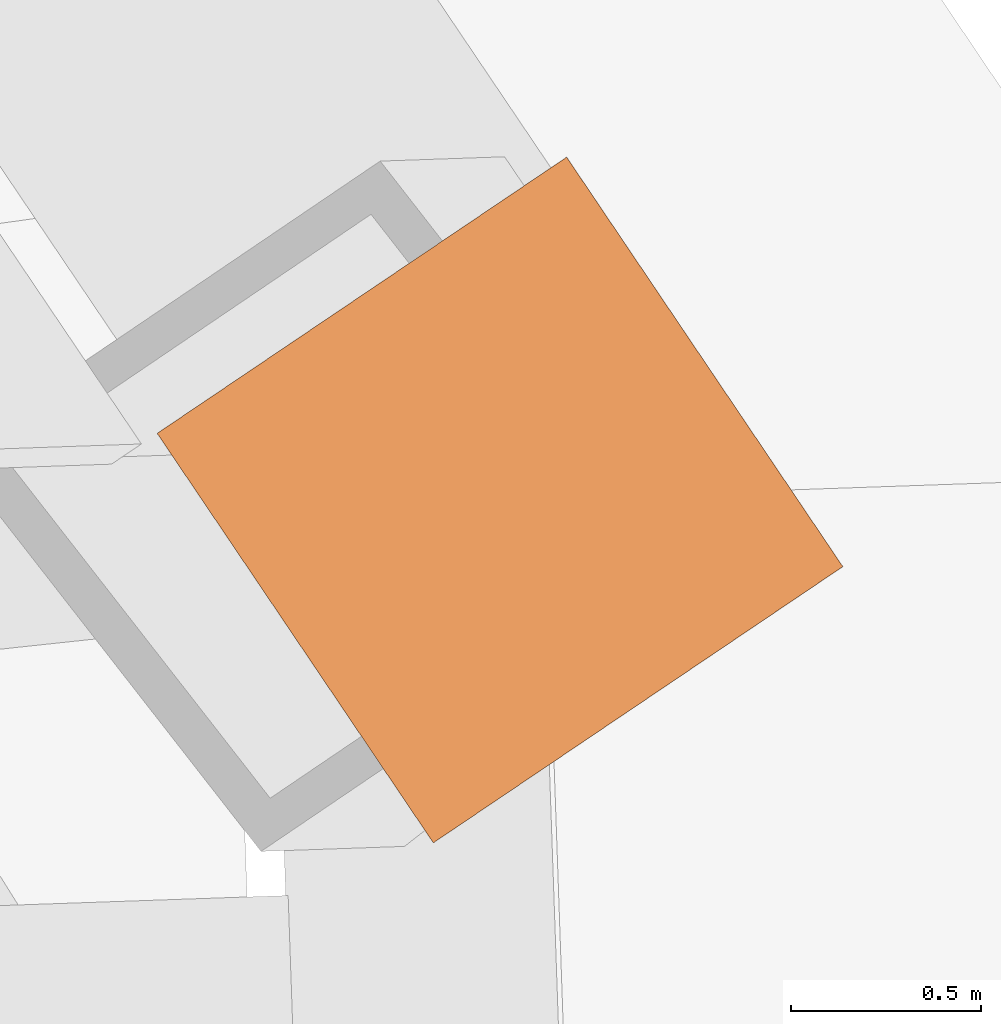
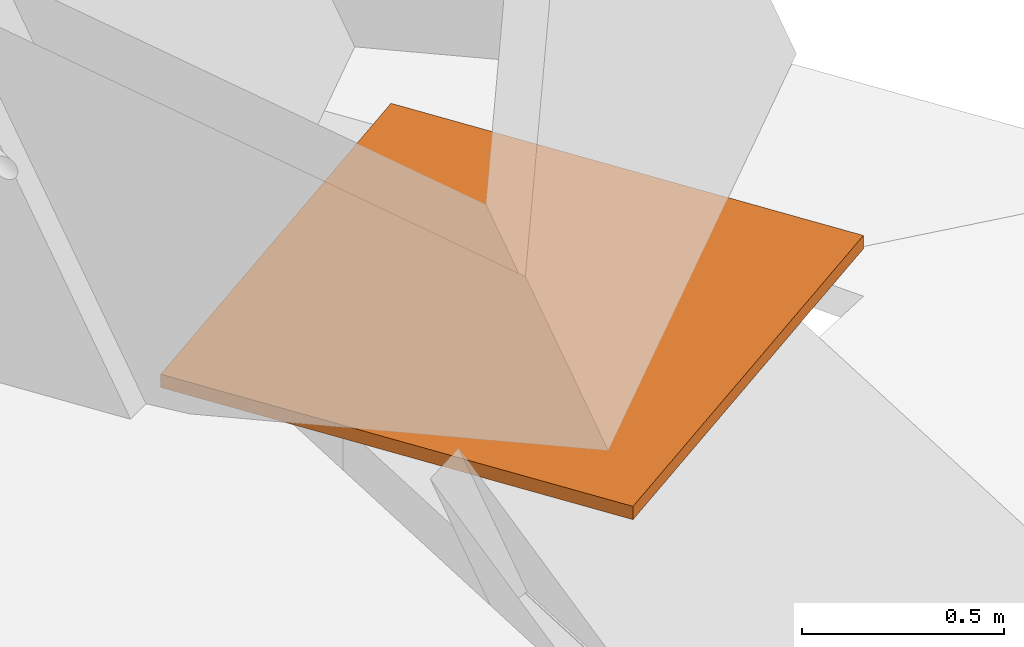
# One storey, part 12 of 12: 1 proxy.
"""IFC4 building model written with IfcOpenShell, lengths in metres."""

from ifc_helpers import new_model, si_unit, direction, frame, origin, origin_2d, place, context, subcontext, project, spatial, rectangle, extrude, material, material_profile, profile_set, type_object, element, save


model = new_model("IFC4")

# Units and contexts
model_context = context("Model", 3, precision=1e-05, world=origin(), true_north=direction((0.0, 1.0)))
body_context = subcontext(model_context, "Body", "Model", "MODEL_VIEW")
ifc_project = project(units=[si_unit("LENGTHUNIT", "METRE"), si_unit("AREAUNIT", "SQUARE_METRE"), si_unit("VOLUMEUNIT", "CUBIC_METRE"), si_unit("PLANEANGLEUNIT", "RADIAN"), si_unit("MASSUNIT", "GRAM", prefix="KILO")], contexts=[model_context])

# Site, building, storey
site_placement = place(None, origin())
site = spatial("IfcSite", under=ifc_project, at=site_placement, CompositionType="ELEMENT")
building_placement = place(site_placement, origin())
building = spatial("IfcBuilding", under=site, at=building_placement, Name="Qingtian Harvest Tower", CompositionType="ELEMENT")
storey_placement = place(building_placement, frame((0.0, 0.0, 174.39990234375)))
storey = spatial("IfcBuildingStorey", under=building, at=storey_placement, Name="L37", CompositionType="ELEMENT", Elevation=174.39990234375)

# Proxy
ifc_material = material(Name="Steel SM570MC", Category="steel")
ifc_material_profile = material_profile(ifc_material, rectangle(XDim=1.300048828125, YDim=1.300048828125, at=origin_2d()), Name="PL1300X1300X40")
ifc_profile_set = profile_set([ifc_material_profile], Name="Steel SM570MC")
building_element_proxy_type = type_object("IfcBuildingElementProxyType", Name="Column cap plate CP3 PL1300X1300X40", PredefinedType="NOTDEFINED", material=ifc_profile_set)
proxy_placement = place(storey_placement, frame((28.119384765625, 3.0185546875, 0.0), z_axis=(0.0, 0.0, 1.0), x_axis=(-0.559192903471, 0.829037572555, 0.0)))
element("IfcBuildingElementProxy", 1, at=proxy_placement, inside=storey, type_object=building_element_proxy_type, Name="Cap plate CP3 on Tube column TK1 NE6", PredefinedType="NOTDEFINED", context=body_context, shape_type="SweptSolid", body=[
    extrude(rectangle(XDim=1.300048828125, YDim=1.300048828125, at=origin_2d()), origin(), (0.0, 0.0, 1.0), 0.0400390625),
])

save(model, "model.ifc")
